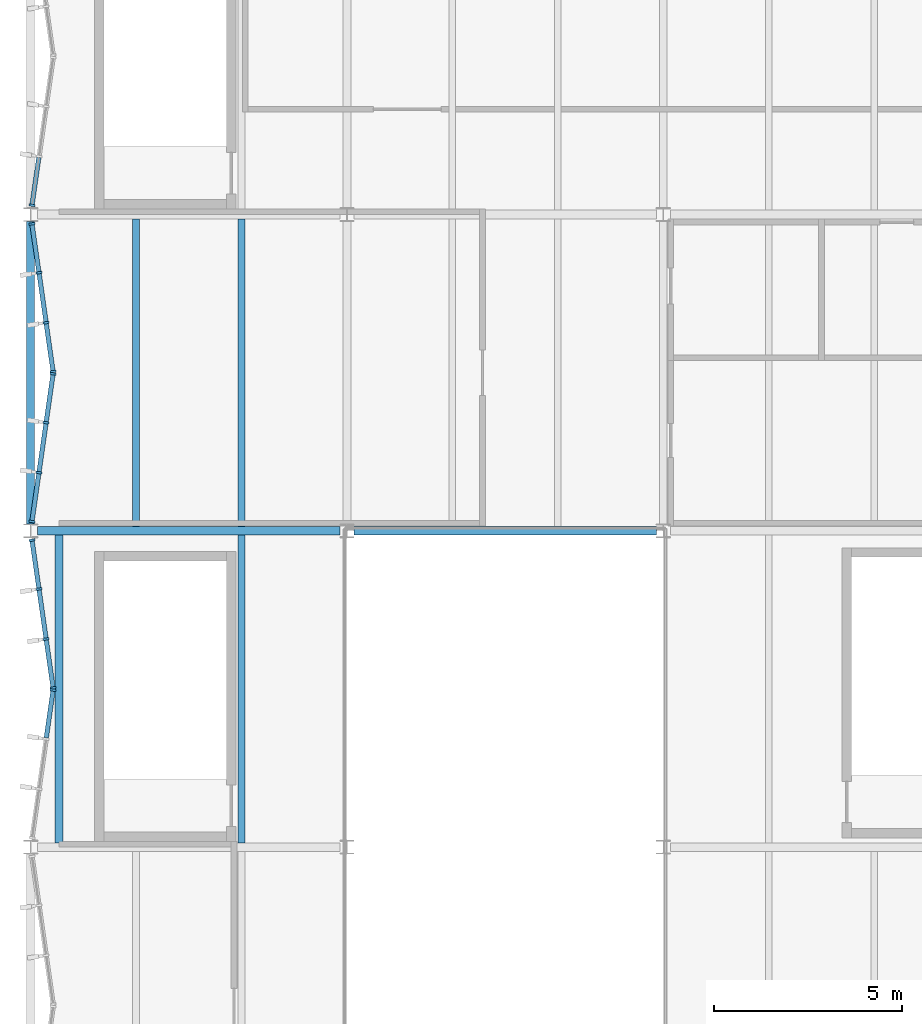
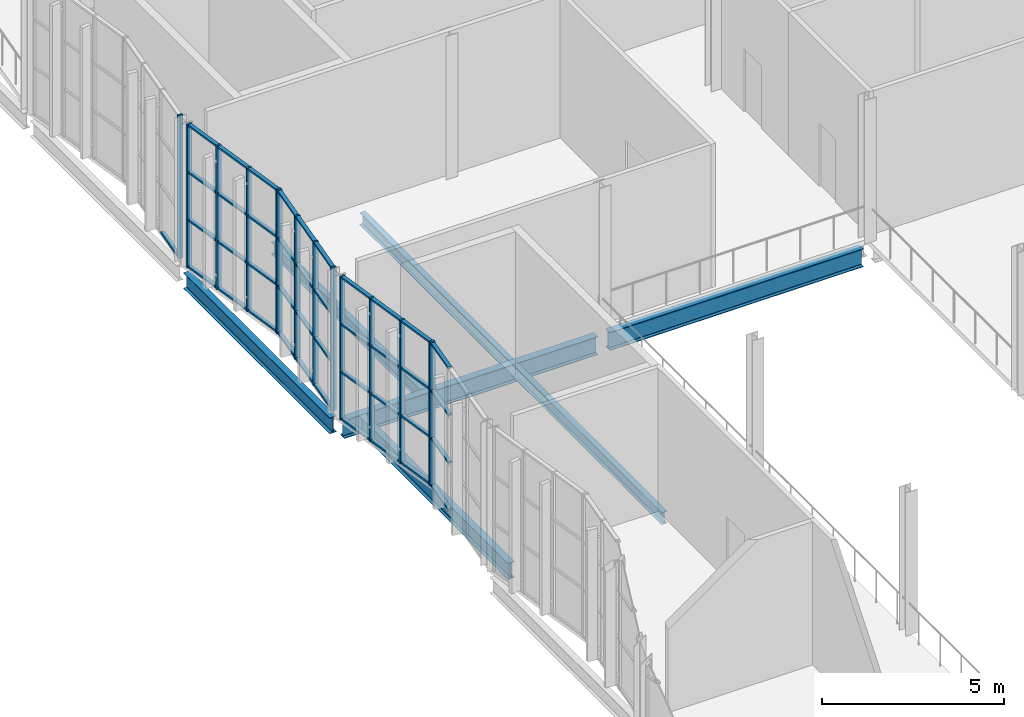
# One storey, part 35 of 116: 55 members, 7 beams, 5 elements without a shape of their own.
"""IFC4 building model written with IfcOpenShell, lengths in metres."""

from ifc_helpers import new_model, si_unit, direction, frame, origin, origin_2d, place, context, subcontext, project, spatial, rectangle, i_section, extrude, material, material_profile, profile_set, type_object, element, aggregate, save


model = new_model("IFC4")

# Units and contexts
model_context = context("Model", 3, precision=1e-05, world=origin(), true_north=direction((0.0, 1.0)))
body_context = subcontext(model_context, "Body", "Model", "MODEL_VIEW")
ifc_project = project(units=[si_unit("LENGTHUNIT", "METRE"), si_unit("AREAUNIT", "SQUARE_METRE"), si_unit("VOLUMEUNIT", "CUBIC_METRE"), si_unit("PLANEANGLEUNIT", "RADIAN"), si_unit("MASSUNIT", "GRAM", prefix="KILO")], contexts=[model_context])

# Site, building, storey
site_placement = place(None, origin())
site = spatial("IfcSite", under=ifc_project, at=site_placement, CompositionType="ELEMENT")
building_placement = place(site_placement, origin())
building = spatial("IfcBuilding", under=site, at=building_placement, Name="Ljudholm Concert House", CompositionType="ELEMENT")
storey_placement = place(building_placement, frame((0.0, 0.0, 10.199951171875)))
storey = spatial("IfcBuildingStorey", under=building, at=storey_placement, Name="L02", CompositionType="ELEMENT", Elevation=10.199951171875)

# Curtain wall, member
ifc_material_1 = material(Name="Aluminium curtain wall with impact-rated laminated glass", Category="aluminium")
curtain_wall_type = type_object("IfcCurtainWallType", Name="CURTAIN WALL 1400", PredefinedType="NOTDEFINED", material=ifc_material_1)
curtain_wall_1_placement = place(storey_placement, origin())
curtain_wall_1 = element("IfcCurtainWall", 1, at=curtain_wall_1_placement, inside=storey, type_object=curtain_wall_type, Name="Facade curtain wall", PredefinedType="NOTDEFINED")
ifc_material_2 = material(Name="Aluminium extrusion", Category="aluminium")
ifc_material_profile_1 = material_profile(ifc_material_2, rectangle(XDim=0.159912109375, YDim=0.06005859375, at=origin_2d()), Name="MULLION 60x160")
ifc_profile_set_1 = profile_set([ifc_material_profile_1], Name="Aluminium extrusion")
member_type_1 = type_object("IfcMemberType", Name="MULLION 60x160", PredefinedType="MULLION", material=ifc_profile_set_1)
member_1_placement = place(storey_placement, frame((4.595703125, 100.5703125, 0.0), z_axis=(0.0, 0.0, 1.0), x_axis=(-0.989949493647, 0.141421356338, 0.0)))
member_1 = element("IfcMember", 2, at=member_1_placement, type_object=member_type_1, Name="Mullion", PredefinedType="MULLION", context=body_context, shape_type="SweptSolid", body=[
    extrude(rectangle(XDim=0.159912109375, YDim=0.06005859375, at=origin_2d()), origin(), (0.0, 0.0, 1.0), 4.800048828125),
])

# Curtain wall, members
curtain_wall_2_placement = place(storey_placement, origin())
curtain_wall_2 = element("IfcCurtainWall", 3, at=curtain_wall_2_placement, inside=storey, type_object=curtain_wall_type, Name="Facade curtain wall", PredefinedType="NOTDEFINED")
member_2_placement = place(storey_placement, frame((4.595703125, 100.629638671875, 0.0), z_axis=(0.0, 0.0, 1.0), x_axis=(-0.989949493647, -0.141421356338, 0.0)))
member_2 = element("IfcMember", 4, at=member_2_placement, type_object=member_type_1, Name="Mullion", PredefinedType="MULLION", context=body_context, shape_type="SweptSolid", body=[
    extrude(rectangle(XDim=0.159912109375, YDim=0.06005859375, at=origin_2d()), origin(), (0.0, 0.0, 1.0), 4.800048828125),
])
member_3_placement = place(storey_placement, frame((4.410400390625, 101.927490234375, 0.0), z_axis=(0.0, 0.0, 1.0), x_axis=(-0.989949493647, -0.141421356338, 0.0)))
member_3 = element("IfcMember", 5, at=member_3_placement, type_object=member_type_1, Name="Mullion", PredefinedType="MULLION", context=body_context, shape_type="SweptSolid", body=[
    extrude(rectangle(XDim=0.159912109375, YDim=0.06005859375, at=origin_2d()), origin(), (0.0, 0.0, 1.0), 4.800048828125),
])
member_4_placement = place(storey_placement, frame((4.220703125, 103.2548828125, 0.0), z_axis=(0.0, 0.0, 1.0), x_axis=(-0.989949493647, -0.141421356338, 0.0)))
member_4 = element("IfcMember", 6, at=member_4_placement, type_object=member_type_1, Name="Mullion", PredefinedType="MULLION", context=body_context, shape_type="SweptSolid", body=[
    extrude(rectangle(XDim=0.159912109375, YDim=0.06005859375, at=origin_2d()), origin(), (0.0, 0.0, 1.0), 4.800048828125),
])
member_5_placement = place(storey_placement, frame((4.035400390625, 104.552490234375, 0.0), z_axis=(0.0, 0.0, 1.0), x_axis=(-0.989949493647, -0.141421356338, 0.0)))
member_5 = element("IfcMember", 7, at=member_5_placement, type_object=member_type_1, Name="Mullion", PredefinedType="MULLION", context=body_context, shape_type="SweptSolid", body=[
    extrude(rectangle(XDim=0.159912109375, YDim=0.06005859375, at=origin_2d()), origin(), (0.0, 0.0, 1.0), 4.800048828125),
])

curtain_wall_3_placement = place(storey_placement, origin())
curtain_wall_3 = element("IfcCurtainWall", 8, at=curtain_wall_3_placement, inside=storey, type_object=curtain_wall_type, Name="Facade curtain wall", PredefinedType="NOTDEFINED")
member_6_placement = place(storey_placement, frame((4.035400390625, 105.047607421875, 0.0), z_axis=(0.0, 0.0, 1.0), x_axis=(-0.989949493647, 0.141421356338, 0.0)))
member_6 = element("IfcMember", 9, at=member_6_placement, type_object=member_type_1, Name="Mullion", PredefinedType="MULLION", context=body_context, shape_type="SweptSolid", body=[
    extrude(rectangle(XDim=0.159912109375, YDim=0.06005859375, at=origin_2d()), origin(), (0.0, 0.0, 1.0), 4.800048828125),
])
member_7_placement = place(storey_placement, frame((4.220703125, 106.34521484375, 0.0), z_axis=(0.0, 0.0, 1.0), x_axis=(-0.989949493647, 0.141421356338, 0.0)))
member_7 = element("IfcMember", 10, at=member_7_placement, type_object=member_type_1, Name="Mullion", PredefinedType="MULLION", context=body_context, shape_type="SweptSolid", body=[
    extrude(rectangle(XDim=0.159912109375, YDim=0.06005859375, at=origin_2d()), origin(), (0.0, 0.0, 1.0), 4.800048828125),
])
member_8_placement = place(storey_placement, frame((4.410400390625, 107.672607421875, 0.0), z_axis=(0.0, 0.0, 1.0), x_axis=(-0.989949493647, 0.141421356338, 0.0)))
member_8 = element("IfcMember", 11, at=member_8_placement, type_object=member_type_1, Name="Mullion", PredefinedType="MULLION", context=body_context, shape_type="SweptSolid", body=[
    extrude(rectangle(XDim=0.159912109375, YDim=0.06005859375, at=origin_2d()), origin(), (0.0, 0.0, 1.0), 4.800048828125),
])
member_9_placement = place(storey_placement, frame((4.595703125, 108.97021484375, 0.0), z_axis=(0.0, 0.0, 1.0), x_axis=(-0.989949493647, 0.141421356338, 0.0)))
member_9 = element("IfcMember", 12, at=member_9_placement, type_object=member_type_1, Name="Mullion", PredefinedType="MULLION", context=body_context, shape_type="SweptSolid", body=[
    extrude(rectangle(XDim=0.159912109375, YDim=0.06005859375, at=origin_2d()), origin(), (0.0, 0.0, 1.0), 4.800048828125),
])

curtain_wall_4_placement = place(storey_placement, origin())
curtain_wall_4 = element("IfcCurtainWall", 13, at=curtain_wall_4_placement, inside=storey, type_object=curtain_wall_type, Name="Facade curtain wall", PredefinedType="NOTDEFINED")
member_10_placement = place(storey_placement, frame((4.595703125, 109.02978515625, 0.0), z_axis=(0.0, 0.0, 1.0), x_axis=(-0.989949493647, -0.141421356338, 0.0)))
member_10 = element("IfcMember", 14, at=member_10_placement, type_object=member_type_1, Name="Mullion", PredefinedType="MULLION", context=body_context, shape_type="SweptSolid", body=[
    extrude(rectangle(XDim=0.159912109375, YDim=0.06005859375, at=origin_2d()), origin(), (0.0, 0.0, 1.0), 4.800048828125),
])
member_11_placement = place(storey_placement, frame((4.410400390625, 110.327392578125, 0.0), z_axis=(0.0, 0.0, 1.0), x_axis=(-0.989949493647, -0.141421356338, 0.0)))
member_11 = element("IfcMember", 15, at=member_11_placement, type_object=member_type_1, Name="Mullion", PredefinedType="MULLION", context=body_context, shape_type="SweptSolid", body=[
    extrude(rectangle(XDim=0.159912109375, YDim=0.06005859375, at=origin_2d()), origin(), (0.0, 0.0, 1.0), 4.800048828125),
])
member_12_placement = place(storey_placement, frame((4.220703125, 111.65478515625, 0.0), z_axis=(0.0, 0.0, 1.0), x_axis=(-0.989949493647, -0.141421356338, 0.0)))
member_12 = element("IfcMember", 16, at=member_12_placement, type_object=member_type_1, Name="Mullion", PredefinedType="MULLION", context=body_context, shape_type="SweptSolid", body=[
    extrude(rectangle(XDim=0.159912109375, YDim=0.06005859375, at=origin_2d()), origin(), (0.0, 0.0, 1.0), 4.800048828125),
])
member_13_placement = place(storey_placement, frame((4.035400390625, 112.952392578125, 0.0), z_axis=(0.0, 0.0, 1.0), x_axis=(-0.989949493647, -0.141421356338, 0.0)))
member_13 = element("IfcMember", 17, at=member_13_placement, type_object=member_type_1, Name="Mullion", PredefinedType="MULLION", context=body_context, shape_type="SweptSolid", body=[
    extrude(rectangle(XDim=0.159912109375, YDim=0.06005859375, at=origin_2d()), origin(), (0.0, 0.0, 1.0), 4.800048828125),
])

# Curtain wall, member
curtain_wall_5_placement = place(storey_placement, origin())
curtain_wall_5 = element("IfcCurtainWall", 18, at=curtain_wall_5_placement, inside=storey, type_object=curtain_wall_type, Name="Facade curtain wall", PredefinedType="NOTDEFINED")
member_14_placement = place(storey_placement, frame((4.035400390625, 113.447509765625, 0.0), z_axis=(0.0, 0.0, 1.0), x_axis=(-0.989949493647, 0.141421356338, 0.0)))
member_14 = element("IfcMember", 19, at=member_14_placement, type_object=member_type_1, Name="Mullion", PredefinedType="MULLION", context=body_context, shape_type="SweptSolid", body=[
    extrude(rectangle(XDim=0.159912109375, YDim=0.06005859375, at=origin_2d()), origin(), (0.0, 0.0, 1.0), 4.800048828125),
])

# Beams
ifc_material_3 = material(Name="Steel ASTM A992", Category="steel")
ifc_material_profile_2 = material_profile(ifc_material_3, i_section(OverallWidth=0.177734375, OverallDepth=0.406494140625, WebThickness=0.0078125, FlangeThickness=0.012939453125, FilletRadius=0.01025390625, at=origin_2d()), Name="W16X40")
ifc_profile_set_2 = profile_set([ifc_material_profile_2], Name="Steel ASTM A992")
beam_type_1 = type_object("IfcBeamType", Name="STEEL BEAM W16X40", PredefinedType="BEAM", material=ifc_profile_set_2)
for number, where, z_axis, x_axis, name in (
    (20, (6.800048828125, 104.91455078125, -0.383056640625), (0.0, 1.0, 0.0), (-1.0, 0.0, 0.0), "Secondary beam"),
    (21, (9.60009765625, 96.5146484375, -0.383056640625), (0.0, 1.0, 0.0), (-1.0, 0.0, 0.0), "Secondary beam"),
    (22, (9.60009765625, 104.91455078125, -0.383056640625), (0.0, 1.0, 0.0), (-1.0, 0.0, 0.0), "Secondary beam"),
):
    element("IfcBeam", number, at=place(storey_placement, frame(where, z_axis=z_axis, x_axis=x_axis)), inside=storey, type_object=beam_type_1, Name=name, PredefinedType="BEAM", context=body_context, shape_type="SweptSolid", body=[
        extrude(i_section(OverallWidth=0.177734375, OverallDepth=0.406494140625, WebThickness=0.0078125, FlangeThickness=0.012939453125, FilletRadius=0.01025390625, at=origin_2d()), origin(), (0.0, 0.0, 1.0), 8.1708984375),
    ])
ifc_material_4 = material(Name="Steel ASTM A992", Category="steel")
ifc_material_profile_3 = material_profile(ifc_material_4, i_section(OverallWidth=0.209228515625, OverallDepth=0.533447265625, WebThickness=0.01025390625, FlangeThickness=0.015625, FilletRadius=0.012939453125, at=origin_2d()), Name="W21X62")
ifc_profile_set_3 = profile_set([ifc_material_profile_3], Name="Steel ASTM A992")
beam_type_2 = type_object("IfcBeamType", Name="STEEL BEAM W21X62", PredefinedType="BEAM", material=ifc_profile_set_3)
beam_1_placement = place(storey_placement, frame((4.75, 96.5146484375, -0.446533203125), z_axis=(0.0, 1.0, 0.0), x_axis=(-1.0, 0.0, 0.0)))
element("IfcBeam", 23, at=beam_1_placement, inside=storey, type_object=beam_type_2, Name="Floor edge beam", PredefinedType="BEAM", context=body_context, shape_type="SweptSolid", body=[
    extrude(i_section(OverallWidth=0.209228515625, OverallDepth=0.533447265625, WebThickness=0.01025390625, FlangeThickness=0.015625, FilletRadius=0.012939453125, at=origin_2d()), origin(), (0.0, 0.0, 1.0), 8.1708984375),
])
beam_2_placement = place(storey_placement, frame((4.0, 104.986572265625, -0.446533203125), z_axis=(0.0, 1.0, 0.0), x_axis=(-1.0, 0.0, 0.0)))
element("IfcBeam", 24, at=beam_2_placement, inside=storey, type_object=beam_type_2, Name="Floor edge beam", PredefinedType="BEAM", context=body_context, shape_type="SweptSolid", body=[
    extrude(i_section(OverallWidth=0.209228515625, OverallDepth=0.533447265625, WebThickness=0.01025390625, FlangeThickness=0.015625, FilletRadius=0.012939453125, at=origin_2d()), origin(), (0.0, 0.0, 1.0), 8.02685546875),
])
ifc_material_5 = material(Name="Steel ASTM A992", Category="steel")
ifc_material_profile_4 = material_profile(ifc_material_5, i_section(OverallWidth=0.22900390625, OverallDepth=0.612060546875, WebThickness=0.011962890625, FlangeThickness=0.01953125, FilletRadius=0.0126953125, at=origin_2d()), Name="W24X84")
ifc_profile_set_4 = profile_set([ifc_material_profile_4], Name="Steel ASTM A992")
beam_type_3 = type_object("IfcBeamType", Name="STEEL BEAM W24X84", PredefinedType="BEAM", material=ifc_profile_set_4)
for number, where, z_axis, x_axis, name in (
    (25, (4.186767578125, 104.800048828125, -0.486083984375), (1.0, 0.0, 0.0), (0.0, 1.0, 0.0), "Floor girder"),
    (26, (12.586669921875, 104.800048828125, -0.486083984375), (1.0, 0.0, 0.0), (0.0, 1.0, 0.0), "Floor girder"),
):
    element("IfcBeam", number, at=place(storey_placement, frame(where, z_axis=z_axis, x_axis=x_axis)), inside=storey, type_object=beam_type_3, Name=name, PredefinedType="BEAM", context=body_context, shape_type="SweptSolid", body=[
        extrude(i_section(OverallWidth=0.22900390625, OverallDepth=0.612060546875, WebThickness=0.011962890625, FlangeThickness=0.01953125, FilletRadius=0.0126953125, at=origin_2d()), origin(), (0.0, 0.0, 1.0), 8.026611328125),
    ])

# Member
ifc_material_6 = material(Name="Aluminium extrusion", Category="aluminium")
ifc_material_profile_5 = material_profile(ifc_material_6, rectangle(XDim=0.1201171875, YDim=0.06005859375, at=origin_2d()), Name="TRANSOM 60x120")
ifc_profile_set_5 = profile_set([ifc_material_profile_5], Name="Aluminium extrusion")
member_type_2 = type_object("IfcMemberType", Name="TRANSOM 60x120", PredefinedType="USERDEFINED", material=ifc_profile_set_5)
member_15_placement = place(storey_placement, frame((4.41455078125, 99.30224609375, 0.030029296875), z_axis=(0.141503330095, 0.989937779647, 0.0), x_axis=(-0.989937779647, 0.141503330095, 0.0)))
member_15 = element("IfcMember", 27, at=member_15_placement, type_object=member_type_2, Name="Transom", ObjectType="TRANSOM", PredefinedType="USERDEFINED", context=body_context, shape_type="SweptSolid", body=[
    extrude(rectangle(XDim=0.1201171875, YDim=0.06005859375, at=origin_2d()), origin(), (0.0, 0.0, 1.0), 1.2509765625),
])

member_16_placement = place(storey_placement, frame((4.41455078125, 99.30224609375, 1.60009765625), z_axis=(0.141503330095, 0.989937779647, 0.0), x_axis=(-0.989937779647, 0.141503330095, 0.0)))
member_16 = element("IfcMember", 28, at=member_16_placement, type_object=member_type_2, Name="Transom", ObjectType="TRANSOM", PredefinedType="USERDEFINED", context=body_context, shape_type="SweptSolid", body=[
    extrude(rectangle(XDim=0.1201171875, YDim=0.06005859375, at=origin_2d()), origin(), (0.0, 0.0, 1.0), 1.2509765625),
])

member_17_placement = place(storey_placement, frame((4.41455078125, 99.30224609375, 3.199951171875), z_axis=(0.141503330095, 0.989937779647, 0.0), x_axis=(-0.989937779647, 0.141503330095, 0.0)))
member_17 = element("IfcMember", 29, at=member_17_placement, type_object=member_type_2, Name="Transom", ObjectType="TRANSOM", PredefinedType="USERDEFINED", context=body_context, shape_type="SweptSolid", body=[
    extrude(rectangle(XDim=0.1201171875, YDim=0.06005859375, at=origin_2d()), origin(), (0.0, 0.0, 1.0), 1.2509765625),
])

member_18_placement = place(storey_placement, frame((4.41455078125, 99.30224609375, 4.77001953125), z_axis=(0.141503330095, 0.989937779647, 0.0), x_axis=(-0.989937779647, 0.141503330095, 0.0)))
member_18 = element("IfcMember", 30, at=member_18_placement, type_object=member_type_2, Name="Transom", ObjectType="TRANSOM", PredefinedType="USERDEFINED", context=body_context, shape_type="SweptSolid", body=[
    extrude(rectangle(XDim=0.1201171875, YDim=0.06005859375, at=origin_2d()), origin(), (0.0, 0.0, 1.0), 1.2509765625),
])

aggregate(curtain_wall_1, [member_1, member_15, member_16, member_17, member_18])

member_19_placement = place(storey_placement, frame((4.591552734375, 100.659423828125, 0.030029296875), z_axis=(-0.141503330095, 0.989937779647, 0.0), x_axis=(-0.989937779647, -0.141503330095, 0.0)))
member_19 = element("IfcMember", 31, at=member_19_placement, type_object=member_type_2, Name="Transom", ObjectType="TRANSOM", PredefinedType="USERDEFINED", context=body_context, shape_type="SweptSolid", body=[
    extrude(rectangle(XDim=0.1201171875, YDim=0.06005859375, at=origin_2d()), origin(), (0.0, 0.0, 1.0), 1.2509765625),
])

member_20_placement = place(storey_placement, frame((4.591552734375, 100.659423828125, 1.60009765625), z_axis=(-0.141503330095, 0.989937779647, 0.0), x_axis=(-0.989937779647, -0.141503330095, 0.0)))
member_20 = element("IfcMember", 32, at=member_20_placement, type_object=member_type_2, Name="Transom", ObjectType="TRANSOM", PredefinedType="USERDEFINED", context=body_context, shape_type="SweptSolid", body=[
    extrude(rectangle(XDim=0.1201171875, YDim=0.06005859375, at=origin_2d()), origin(), (0.0, 0.0, 1.0), 1.2509765625),
])

member_21_placement = place(storey_placement, frame((4.591552734375, 100.659423828125, 3.199951171875), z_axis=(-0.141503330095, 0.989937779647, 0.0), x_axis=(-0.989937779647, -0.141503330095, 0.0)))
member_21 = element("IfcMember", 33, at=member_21_placement, type_object=member_type_2, Name="Transom", ObjectType="TRANSOM", PredefinedType="USERDEFINED", context=body_context, shape_type="SweptSolid", body=[
    extrude(rectangle(XDim=0.1201171875, YDim=0.06005859375, at=origin_2d()), origin(), (0.0, 0.0, 1.0), 1.2509765625),
])

member_22_placement = place(storey_placement, frame((4.591552734375, 100.659423828125, 4.77001953125), z_axis=(-0.141503330095, 0.989937779647, 0.0), x_axis=(-0.989937779647, -0.141503330095, 0.0)))
member_22 = element("IfcMember", 34, at=member_22_placement, type_object=member_type_2, Name="Transom", ObjectType="TRANSOM", PredefinedType="USERDEFINED", context=body_context, shape_type="SweptSolid", body=[
    extrude(rectangle(XDim=0.1201171875, YDim=0.06005859375, at=origin_2d()), origin(), (0.0, 0.0, 1.0), 1.2509765625),
])

member_23_placement = place(storey_placement, frame((4.40625, 101.95703125, 0.030029296875), z_axis=(-0.141421356237, 0.989949493661, 0.0), x_axis=(-0.989949493661, -0.141421356237, 0.0)))
member_23 = element("IfcMember", 35, at=member_23_placement, type_object=member_type_2, Name="Transom", ObjectType="TRANSOM", PredefinedType="USERDEFINED", context=body_context, shape_type="SweptSolid", body=[
    extrude(rectangle(XDim=0.1201171875, YDim=0.06005859375, at=origin_2d()), origin(), (0.0, 0.0, 1.0), 1.281005859375),
])

member_24_placement = place(storey_placement, frame((4.40625, 101.95703125, 1.60009765625), z_axis=(-0.141421356237, 0.989949493661, 0.0), x_axis=(-0.989949493661, -0.141421356237, 0.0)))
member_24 = element("IfcMember", 36, at=member_24_placement, type_object=member_type_2, Name="Transom", ObjectType="TRANSOM", PredefinedType="USERDEFINED", context=body_context, shape_type="SweptSolid", body=[
    extrude(rectangle(XDim=0.1201171875, YDim=0.06005859375, at=origin_2d()), origin(), (0.0, 0.0, 1.0), 1.281005859375),
])

member_25_placement = place(storey_placement, frame((4.40625, 101.95703125, 3.199951171875), z_axis=(-0.141421356237, 0.989949493661, 0.0), x_axis=(-0.989949493661, -0.141421356237, 0.0)))
member_25 = element("IfcMember", 37, at=member_25_placement, type_object=member_type_2, Name="Transom", ObjectType="TRANSOM", PredefinedType="USERDEFINED", context=body_context, shape_type="SweptSolid", body=[
    extrude(rectangle(XDim=0.1201171875, YDim=0.06005859375, at=origin_2d()), origin(), (0.0, 0.0, 1.0), 1.281005859375),
])

member_26_placement = place(storey_placement, frame((4.40625, 101.95703125, 4.77001953125), z_axis=(-0.141421356237, 0.989949493661, 0.0), x_axis=(-0.989949493661, -0.141421356237, 0.0)))
member_26 = element("IfcMember", 38, at=member_26_placement, type_object=member_type_2, Name="Transom", ObjectType="TRANSOM", PredefinedType="USERDEFINED", context=body_context, shape_type="SweptSolid", body=[
    extrude(rectangle(XDim=0.1201171875, YDim=0.06005859375, at=origin_2d()), origin(), (0.0, 0.0, 1.0), 1.281005859375),
])

member_27_placement = place(storey_placement, frame((4.216552734375, 103.284423828125, 0.030029296875), z_axis=(-0.141503330095, 0.989937779647, 0.0), x_axis=(-0.989937779647, -0.141503330095, 0.0)))
member_27 = element("IfcMember", 39, at=member_27_placement, type_object=member_type_2, Name="Transom", ObjectType="TRANSOM", PredefinedType="USERDEFINED", context=body_context, shape_type="SweptSolid", body=[
    extrude(rectangle(XDim=0.1201171875, YDim=0.06005859375, at=origin_2d()), origin(), (0.0, 0.0, 1.0), 1.2509765625),
])

member_28_placement = place(storey_placement, frame((4.216552734375, 103.284423828125, 1.60009765625), z_axis=(-0.141503330095, 0.989937779647, 0.0), x_axis=(-0.989937779647, -0.141503330095, 0.0)))
member_28 = element("IfcMember", 40, at=member_28_placement, type_object=member_type_2, Name="Transom", ObjectType="TRANSOM", PredefinedType="USERDEFINED", context=body_context, shape_type="SweptSolid", body=[
    extrude(rectangle(XDim=0.1201171875, YDim=0.06005859375, at=origin_2d()), origin(), (0.0, 0.0, 1.0), 1.2509765625),
])

member_29_placement = place(storey_placement, frame((4.216552734375, 103.284423828125, 3.199951171875), z_axis=(-0.141503330095, 0.989937779647, 0.0), x_axis=(-0.989937779647, -0.141503330095, 0.0)))
member_29 = element("IfcMember", 41, at=member_29_placement, type_object=member_type_2, Name="Transom", ObjectType="TRANSOM", PredefinedType="USERDEFINED", context=body_context, shape_type="SweptSolid", body=[
    extrude(rectangle(XDim=0.1201171875, YDim=0.06005859375, at=origin_2d()), origin(), (0.0, 0.0, 1.0), 1.2509765625),
])

member_30_placement = place(storey_placement, frame((4.216552734375, 103.284423828125, 4.77001953125), z_axis=(-0.141503330095, 0.989937779647, 0.0), x_axis=(-0.989937779647, -0.141503330095, 0.0)))
member_30 = element("IfcMember", 42, at=member_30_placement, type_object=member_type_2, Name="Transom", ObjectType="TRANSOM", PredefinedType="USERDEFINED", context=body_context, shape_type="SweptSolid", body=[
    extrude(rectangle(XDim=0.1201171875, YDim=0.06005859375, at=origin_2d()), origin(), (0.0, 0.0, 1.0), 1.2509765625),
])

aggregate(curtain_wall_2, [member_2, member_3, member_4, member_5, member_19, member_20, member_21, member_22, member_23, member_24, member_25, member_26, member_27, member_28, member_29, member_30])

member_31_placement = place(storey_placement, frame((4.03955078125, 105.0771484375, 0.030029296875), z_axis=(0.141503330095, 0.989937779647, 0.0), x_axis=(-0.989937779647, 0.141503330095, 0.0)))
member_31 = element("IfcMember", 43, at=member_31_placement, type_object=member_type_2, Name="Transom", ObjectType="TRANSOM", PredefinedType="USERDEFINED", context=body_context, shape_type="SweptSolid", body=[
    extrude(rectangle(XDim=0.1201171875, YDim=0.06005859375, at=origin_2d()), origin(), (0.0, 0.0, 1.0), 1.2509765625),
])

member_32_placement = place(storey_placement, frame((4.03955078125, 105.0771484375, 1.60009765625), z_axis=(0.141503330095, 0.989937779647, 0.0), x_axis=(-0.989937779647, 0.141503330095, 0.0)))
member_32 = element("IfcMember", 44, at=member_32_placement, type_object=member_type_2, Name="Transom", ObjectType="TRANSOM", PredefinedType="USERDEFINED", context=body_context, shape_type="SweptSolid", body=[
    extrude(rectangle(XDim=0.1201171875, YDim=0.06005859375, at=origin_2d()), origin(), (0.0, 0.0, 1.0), 1.2509765625),
])

member_33_placement = place(storey_placement, frame((4.03955078125, 105.0771484375, 3.199951171875), z_axis=(0.141503330095, 0.989937779647, 0.0), x_axis=(-0.989937779647, 0.141503330095, 0.0)))
member_33 = element("IfcMember", 45, at=member_33_placement, type_object=member_type_2, Name="Transom", ObjectType="TRANSOM", PredefinedType="USERDEFINED", context=body_context, shape_type="SweptSolid", body=[
    extrude(rectangle(XDim=0.1201171875, YDim=0.06005859375, at=origin_2d()), origin(), (0.0, 0.0, 1.0), 1.2509765625),
])

member_34_placement = place(storey_placement, frame((4.03955078125, 105.0771484375, 4.77001953125), z_axis=(0.141503330095, 0.989937779647, 0.0), x_axis=(-0.989937779647, 0.141503330095, 0.0)))
member_34 = element("IfcMember", 46, at=member_34_placement, type_object=member_type_2, Name="Transom", ObjectType="TRANSOM", PredefinedType="USERDEFINED", context=body_context, shape_type="SweptSolid", body=[
    extrude(rectangle(XDim=0.1201171875, YDim=0.06005859375, at=origin_2d()), origin(), (0.0, 0.0, 1.0), 1.2509765625),
])

member_35_placement = place(storey_placement, frame((4.22509765625, 106.375, 0.030029296875), z_axis=(0.141448044496, 0.989945680686, 0.0), x_axis=(-0.989945680686, 0.141448044496, 0.0)))
member_35 = element("IfcMember", 47, at=member_35_placement, type_object=member_type_2, Name="Transom", ObjectType="TRANSOM", PredefinedType="USERDEFINED", context=body_context, shape_type="SweptSolid", body=[
    extrude(rectangle(XDim=0.1201171875, YDim=0.06005859375, at=origin_2d()), origin(), (0.0, 0.0, 1.0), 1.28076171875),
])

member_36_placement = place(storey_placement, frame((4.22509765625, 106.375, 1.60009765625), z_axis=(0.141448044496, 0.989945680686, 0.0), x_axis=(-0.989945680686, 0.141448044496, 0.0)))
member_36 = element("IfcMember", 48, at=member_36_placement, type_object=member_type_2, Name="Transom", ObjectType="TRANSOM", PredefinedType="USERDEFINED", context=body_context, shape_type="SweptSolid", body=[
    extrude(rectangle(XDim=0.1201171875, YDim=0.06005859375, at=origin_2d()), origin(), (0.0, 0.0, 1.0), 1.28076171875),
])

member_37_placement = place(storey_placement, frame((4.22509765625, 106.375, 3.199951171875), z_axis=(0.141448044496, 0.989945680686, 0.0), x_axis=(-0.989945680686, 0.141448044496, 0.0)))
member_37 = element("IfcMember", 49, at=member_37_placement, type_object=member_type_2, Name="Transom", ObjectType="TRANSOM", PredefinedType="USERDEFINED", context=body_context, shape_type="SweptSolid", body=[
    extrude(rectangle(XDim=0.1201171875, YDim=0.06005859375, at=origin_2d()), origin(), (0.0, 0.0, 1.0), 1.28076171875),
])

member_38_placement = place(storey_placement, frame((4.22509765625, 106.375, 4.77001953125), z_axis=(0.141448044496, 0.989945680686, 0.0), x_axis=(-0.989945680686, 0.141448044496, 0.0)))
member_38 = element("IfcMember", 50, at=member_38_placement, type_object=member_type_2, Name="Transom", ObjectType="TRANSOM", PredefinedType="USERDEFINED", context=body_context, shape_type="SweptSolid", body=[
    extrude(rectangle(XDim=0.1201171875, YDim=0.06005859375, at=origin_2d()), origin(), (0.0, 0.0, 1.0), 1.28076171875),
])

member_39_placement = place(storey_placement, frame((4.41455078125, 107.702392578125, 0.030029296875), z_axis=(0.141503330095, 0.989937779647, 0.0), x_axis=(-0.989937779647, 0.141503330095, 0.0)))
member_39 = element("IfcMember", 51, at=member_39_placement, type_object=member_type_2, Name="Transom", ObjectType="TRANSOM", PredefinedType="USERDEFINED", context=body_context, shape_type="SweptSolid", body=[
    extrude(rectangle(XDim=0.1201171875, YDim=0.06005859375, at=origin_2d()), origin(), (0.0, 0.0, 1.0), 1.2509765625),
])

member_40_placement = place(storey_placement, frame((4.41455078125, 107.702392578125, 1.60009765625), z_axis=(0.141503330095, 0.989937779647, 0.0), x_axis=(-0.989937779647, 0.141503330095, 0.0)))
member_40 = element("IfcMember", 52, at=member_40_placement, type_object=member_type_2, Name="Transom", ObjectType="TRANSOM", PredefinedType="USERDEFINED", context=body_context, shape_type="SweptSolid", body=[
    extrude(rectangle(XDim=0.1201171875, YDim=0.06005859375, at=origin_2d()), origin(), (0.0, 0.0, 1.0), 1.2509765625),
])

member_41_placement = place(storey_placement, frame((4.41455078125, 107.702392578125, 3.199951171875), z_axis=(0.141503330095, 0.989937779647, 0.0), x_axis=(-0.989937779647, 0.141503330095, 0.0)))
member_41 = element("IfcMember", 53, at=member_41_placement, type_object=member_type_2, Name="Transom", ObjectType="TRANSOM", PredefinedType="USERDEFINED", context=body_context, shape_type="SweptSolid", body=[
    extrude(rectangle(XDim=0.1201171875, YDim=0.06005859375, at=origin_2d()), origin(), (0.0, 0.0, 1.0), 1.2509765625),
])

member_42_placement = place(storey_placement, frame((4.41455078125, 107.702392578125, 4.77001953125), z_axis=(0.141503330095, 0.989937779647, 0.0), x_axis=(-0.989937779647, 0.141503330095, 0.0)))
member_42 = element("IfcMember", 54, at=member_42_placement, type_object=member_type_2, Name="Transom", ObjectType="TRANSOM", PredefinedType="USERDEFINED", context=body_context, shape_type="SweptSolid", body=[
    extrude(rectangle(XDim=0.1201171875, YDim=0.06005859375, at=origin_2d()), origin(), (0.0, 0.0, 1.0), 1.2509765625),
])

aggregate(curtain_wall_3, [member_6, member_7, member_8, member_9, member_31, member_32, member_33, member_34, member_35, member_36, member_37, member_38, member_39, member_40, member_41, member_42])

member_43_placement = place(storey_placement, frame((4.591552734375, 109.059326171875, 0.030029296875), z_axis=(-0.141503330095, 0.989937779647, 0.0), x_axis=(-0.989937779647, -0.141503330095, 0.0)))
member_43 = element("IfcMember", 55, at=member_43_placement, type_object=member_type_2, Name="Transom", ObjectType="TRANSOM", PredefinedType="USERDEFINED", context=body_context, shape_type="SweptSolid", body=[
    extrude(rectangle(XDim=0.1201171875, YDim=0.06005859375, at=origin_2d()), origin(), (0.0, 0.0, 1.0), 1.2509765625),
])

member_44_placement = place(storey_placement, frame((4.591552734375, 109.059326171875, 1.60009765625), z_axis=(-0.141503330095, 0.989937779647, 0.0), x_axis=(-0.989937779647, -0.141503330095, 0.0)))
member_44 = element("IfcMember", 56, at=member_44_placement, type_object=member_type_2, Name="Transom", ObjectType="TRANSOM", PredefinedType="USERDEFINED", context=body_context, shape_type="SweptSolid", body=[
    extrude(rectangle(XDim=0.1201171875, YDim=0.06005859375, at=origin_2d()), origin(), (0.0, 0.0, 1.0), 1.2509765625),
])

member_45_placement = place(storey_placement, frame((4.591552734375, 109.059326171875, 3.199951171875), z_axis=(-0.141503330095, 0.989937779647, 0.0), x_axis=(-0.989937779647, -0.141503330095, 0.0)))
member_45 = element("IfcMember", 57, at=member_45_placement, type_object=member_type_2, Name="Transom", ObjectType="TRANSOM", PredefinedType="USERDEFINED", context=body_context, shape_type="SweptSolid", body=[
    extrude(rectangle(XDim=0.1201171875, YDim=0.06005859375, at=origin_2d()), origin(), (0.0, 0.0, 1.0), 1.2509765625),
])

member_46_placement = place(storey_placement, frame((4.591552734375, 109.059326171875, 4.77001953125), z_axis=(-0.141503330095, 0.989937779647, 0.0), x_axis=(-0.989937779647, -0.141503330095, 0.0)))
member_46 = element("IfcMember", 58, at=member_46_placement, type_object=member_type_2, Name="Transom", ObjectType="TRANSOM", PredefinedType="USERDEFINED", context=body_context, shape_type="SweptSolid", body=[
    extrude(rectangle(XDim=0.1201171875, YDim=0.06005859375, at=origin_2d()), origin(), (0.0, 0.0, 1.0), 1.2509765625),
])

member_47_placement = place(storey_placement, frame((4.40625, 110.357177734375, 0.030029296875), z_axis=(-0.141448044496, 0.989945680686, 0.0), x_axis=(-0.989945680686, -0.141448044496, 0.0)))
member_47 = element("IfcMember", 59, at=member_47_placement, type_object=member_type_2, Name="Transom", ObjectType="TRANSOM", PredefinedType="USERDEFINED", context=body_context, shape_type="SweptSolid", body=[
    extrude(rectangle(XDim=0.1201171875, YDim=0.06005859375, at=origin_2d()), origin(), (0.0, 0.0, 1.0), 1.28076171875),
])

member_48_placement = place(storey_placement, frame((4.40625, 110.357177734375, 1.60009765625), z_axis=(-0.141448044496, 0.989945680686, 0.0), x_axis=(-0.989945680686, -0.141448044496, 0.0)))
member_48 = element("IfcMember", 60, at=member_48_placement, type_object=member_type_2, Name="Transom", ObjectType="TRANSOM", PredefinedType="USERDEFINED", context=body_context, shape_type="SweptSolid", body=[
    extrude(rectangle(XDim=0.1201171875, YDim=0.06005859375, at=origin_2d()), origin(), (0.0, 0.0, 1.0), 1.28076171875),
])

member_49_placement = place(storey_placement, frame((4.40625, 110.357177734375, 3.199951171875), z_axis=(-0.141448044496, 0.989945680686, 0.0), x_axis=(-0.989945680686, -0.141448044496, 0.0)))
member_49 = element("IfcMember", 61, at=member_49_placement, type_object=member_type_2, Name="Transom", ObjectType="TRANSOM", PredefinedType="USERDEFINED", context=body_context, shape_type="SweptSolid", body=[
    extrude(rectangle(XDim=0.1201171875, YDim=0.06005859375, at=origin_2d()), origin(), (0.0, 0.0, 1.0), 1.28076171875),
])

member_50_placement = place(storey_placement, frame((4.40625, 110.357177734375, 4.77001953125), z_axis=(-0.141448044496, 0.989945680686, 0.0), x_axis=(-0.989945680686, -0.141448044496, 0.0)))
member_50 = element("IfcMember", 62, at=member_50_placement, type_object=member_type_2, Name="Transom", ObjectType="TRANSOM", PredefinedType="USERDEFINED", context=body_context, shape_type="SweptSolid", body=[
    extrude(rectangle(XDim=0.1201171875, YDim=0.06005859375, at=origin_2d()), origin(), (0.0, 0.0, 1.0), 1.28076171875),
])

member_51_placement = place(storey_placement, frame((4.216552734375, 111.6845703125, 0.030029296875), z_axis=(-0.141503330095, 0.989937779647, 0.0), x_axis=(-0.989937779647, -0.141503330095, 0.0)))
member_51 = element("IfcMember", 63, at=member_51_placement, type_object=member_type_2, Name="Transom", ObjectType="TRANSOM", PredefinedType="USERDEFINED", context=body_context, shape_type="SweptSolid", body=[
    extrude(rectangle(XDim=0.1201171875, YDim=0.06005859375, at=origin_2d()), origin(), (0.0, 0.0, 1.0), 1.2509765625),
])

member_52_placement = place(storey_placement, frame((4.216552734375, 111.6845703125, 1.60009765625), z_axis=(-0.141503330095, 0.989937779647, 0.0), x_axis=(-0.989937779647, -0.141503330095, 0.0)))
member_52 = element("IfcMember", 64, at=member_52_placement, type_object=member_type_2, Name="Transom", ObjectType="TRANSOM", PredefinedType="USERDEFINED", context=body_context, shape_type="SweptSolid", body=[
    extrude(rectangle(XDim=0.1201171875, YDim=0.06005859375, at=origin_2d()), origin(), (0.0, 0.0, 1.0), 1.2509765625),
])

member_53_placement = place(storey_placement, frame((4.216552734375, 111.6845703125, 3.199951171875), z_axis=(-0.141503330095, 0.989937779647, 0.0), x_axis=(-0.989937779647, -0.141503330095, 0.0)))
member_53 = element("IfcMember", 65, at=member_53_placement, type_object=member_type_2, Name="Transom", ObjectType="TRANSOM", PredefinedType="USERDEFINED", context=body_context, shape_type="SweptSolid", body=[
    extrude(rectangle(XDim=0.1201171875, YDim=0.06005859375, at=origin_2d()), origin(), (0.0, 0.0, 1.0), 1.2509765625),
])

member_54_placement = place(storey_placement, frame((4.216552734375, 111.6845703125, 4.77001953125), z_axis=(-0.141503330095, 0.989937779647, 0.0), x_axis=(-0.989937779647, -0.141503330095, 0.0)))
member_54 = element("IfcMember", 66, at=member_54_placement, type_object=member_type_2, Name="Transom", ObjectType="TRANSOM", PredefinedType="USERDEFINED", context=body_context, shape_type="SweptSolid", body=[
    extrude(rectangle(XDim=0.1201171875, YDim=0.06005859375, at=origin_2d()), origin(), (0.0, 0.0, 1.0), 1.2509765625),
])

aggregate(curtain_wall_4, [member_10, member_11, member_12, member_13, member_43, member_44, member_45, member_46, member_47, member_48, member_49, member_50, member_51, member_52, member_53, member_54])

member_55_placement = place(storey_placement, frame((4.03955078125, 113.477294921875, 0.030029296875), z_axis=(0.141503330095, 0.989937779647, 0.0), x_axis=(-0.989937779647, 0.141503330095, 0.0)))
member_55 = element("IfcMember", 67, at=member_55_placement, type_object=member_type_2, Name="Transom", ObjectType="TRANSOM", PredefinedType="USERDEFINED", context=body_context, shape_type="SweptSolid", body=[
    extrude(rectangle(XDim=0.1201171875, YDim=0.06005859375, at=origin_2d()), origin(), (0.0, 0.0, 1.0), 1.2509765625),
])

aggregate(curtain_wall_5, [member_14, member_55])

save(model, "model.ifc")
